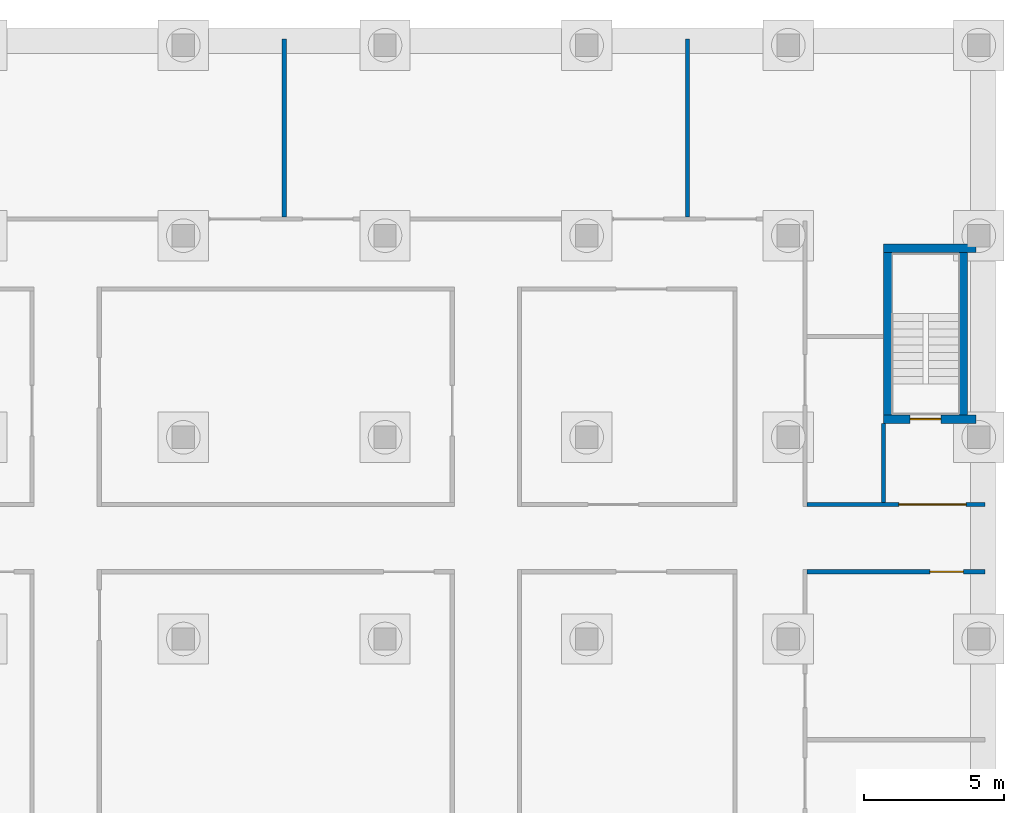
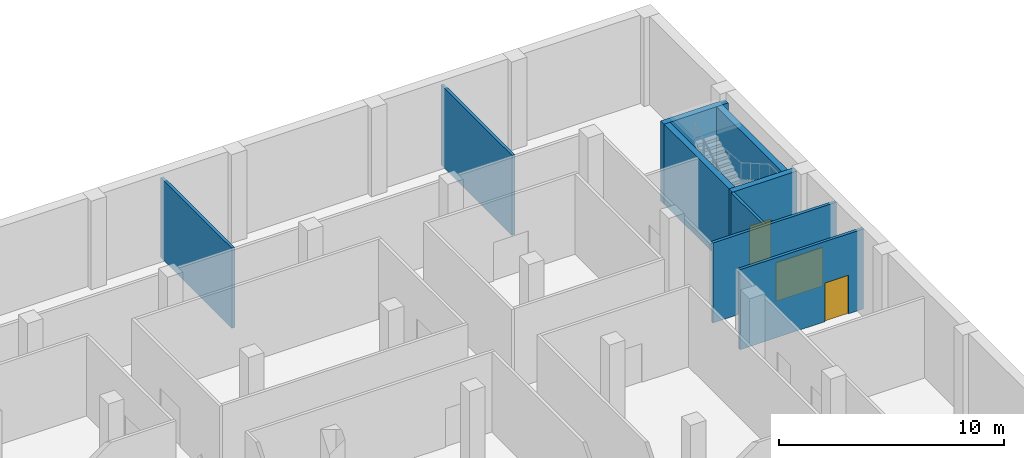
# One storey, part 21 of 54: 9 walls, 3 doors, 3 openings.
"""IFC4 building model written with IfcOpenShell, lengths in metres."""

from ifc_helpers import new_model, si_unit, direction, frame, frame_2d, origin, place, context, subcontext, project, spatial, rectangle, extrude, material, layer, layer_set, type_object, element, fill, save


model = new_model("IFC4")

# Units and contexts
model_context = context("Model", 3, precision=1e-05, world=origin(), true_north=direction((0.0, 1.0)))
body_context = subcontext(model_context, "Body", "Model", "MODEL_VIEW")
ifc_project = project(units=[si_unit("LENGTHUNIT", "METRE"), si_unit("AREAUNIT", "SQUARE_METRE"), si_unit("VOLUMEUNIT", "CUBIC_METRE"), si_unit("PLANEANGLEUNIT", "RADIAN"), si_unit("MASSUNIT", "GRAM", prefix="KILO")], contexts=[model_context])

# Site, building, storey
site_placement = place(None, origin())
site = spatial("IfcSite", under=ifc_project, at=site_placement, CompositionType="ELEMENT")
building_placement = place(site_placement, origin())
building = spatial("IfcBuilding", under=site, at=building_placement, Name="Fustian Cross Tower", CompositionType="ELEMENT")
storey_placement = place(building_placement, frame((0.0, 0.0, -4.800048828125)))
storey = spatial("IfcBuildingStorey", under=building, at=storey_placement, Name="B1", CompositionType="ELEMENT", Elevation=-4.800048828125)

# Walls
ifc_material_1 = material(Name="Plasterboard on steel stud", Category="steel")
ifc_layer_1 = layer(ifc_material_1, 0.14990234375)
ifc_layer_set_1 = layer_set([ifc_layer_1], Name="Plasterboard on steel stud")
wall_type_1 = type_object("IfcWallType", Name="COMPARTMENT WALL 150 EI 60", PredefinedType="PARTITIONING", material=ifc_layer_set_1)
for number, where, z_axis, x_axis, name in (
    (1, (25.199951171875, 43.875, 0.0), (0.0, 0.0, 1.0), (0.0, 1.0, 0.0), "Partition 149"),
    (2, (39.60009765625, 43.875, 0.0), (0.0, 0.0, 1.0), (0.0, 1.0, 0.0), "Partition 174"),
):
    element("IfcWall", number, at=place(storey_placement, frame(where, z_axis=z_axis, x_axis=x_axis)), inside=storey, type_object=wall_type_1, Name=name, PredefinedType="PARTITIONING", context=body_context, shape_type="SweptSolid", body=[
        extrude(rectangle(XDim=6.344970703125, YDim=0.14990234375, at=frame_2d((3.17236328125, 0.0))), origin(), (0.0, 0.0, 1.0), 4.35009765625),
    ])

# Wall, opening, door
wall_1_placement = place(storey_placement, frame((43.875, 31.199951171875, 0.0), z_axis=(0.0, 0.0, 1.0), x_axis=(1.0, 0.0, 0.0)))
wall_1 = element("IfcWall", 3, at=wall_1_placement, inside=storey, type_object=wall_type_1, Name="Partition 193", PredefinedType="PARTITIONING", context=body_context, shape_type="SweptSolid", body=[
    extrude(rectangle(XDim=6.344970703125, YDim=0.14990234375, at=frame_2d((3.17236328125, 0.0))), origin(), (0.0, 0.0, 1.0), 4.35009765625),
])
opening_1_placement = place(wall_1_placement, frame((4.375, 0.0, 0.0)))
opening_1 = element("IfcOpeningElement", 4, at=opening_1_placement, cuts=wall_1, Name="Opening D01146", PredefinedType="OPENING", context=body_context, shape_type="SweptSolid", body=[
    extrude(rectangle(XDim=1.199951171875, YDim=2.10009765625, at=frame_2d((0.60009765625, 1.050048828125))), frame((0.0, 0.0849609375, 0.0), z_axis=(0.0, -1.0, 0.0), x_axis=(1.0, 0.0, 0.0)), (0.0, 0.0, 1.0), 0.169921875),
])
ifc_material_2 = material(Name="Timber fire door set", Category="wood")
door_type_1 = type_object("IfcDoorType", Name="FIRE SWING DOOR 1200 FD30S", OperationType="SINGLE_SWING_LEFT", PredefinedType="DOOR", material=ifc_material_2)
door_1_placement = place(opening_1_placement, frame((1.199951171875, 0.0, 0.0), z_axis=(0.0, 0.0, 1.0), x_axis=(-1.0, 0.0, 0.0)))
door_1 = element("IfcDoor", 5, at=door_1_placement, inside=storey, type_object=door_type_1, Name="Door D01146", OperationType="SINGLE_SWING_LEFT", OverallHeight=2.10009765625, OverallWidth=1.199951171875, PredefinedType="DOOR", context=body_context, shape_type="SweptSolid", body=[
    extrude(rectangle(XDim=1.199951171875, YDim=2.10009765625, at=frame_2d((0.60009765625, 1.050048828125))), frame((0.0, 0.02490234375, 0.0), z_axis=(0.0, -1.0, 0.0), x_axis=(1.0, 0.0, 0.0)), (0.0, 0.0, 1.0), 0.050048828125),
])
fill(opening_1, door_1)

wall_2_placement = place(storey_placement, frame((43.875, 33.60009765625, 0.0), z_axis=(0.0, 0.0, 1.0), x_axis=(1.0, 0.0, 0.0)))
wall_2 = element("IfcWall", 6, at=wall_2_placement, inside=storey, type_object=wall_type_1, Name="Partition 195", PredefinedType="PARTITIONING", context=body_context, shape_type="SweptSolid", body=[
    extrude(rectangle(XDim=6.344970703125, YDim=0.14990234375, at=frame_2d((3.17236328125, 0.0))), origin(), (0.0, 0.0, 1.0), 4.35009765625),
])
opening_2_placement = place(wall_2_placement, frame((3.27490234375, 0.0, 0.0)))
opening_2 = element("IfcOpeningElement", 7, at=opening_2_placement, cuts=wall_2, Name="Opening D01043", PredefinedType="OPENING", context=body_context, shape_type="SweptSolid", body=[
    extrude(rectangle(XDim=2.39990234375, YDim=2.10009765625, at=frame_2d((1.199951171875, 1.050048828125))), frame((0.0, 0.0849609375, 0.0), z_axis=(0.0, -1.0, 0.0), x_axis=(1.0, 0.0, 0.0)), (0.0, 0.0, 1.0), 0.169921875),
])
ifc_material_3 = material(Name="Timber fire door set", Category="wood")
door_type_2 = type_object("IfcDoorType", Name="FIRE DOUBLE DOOR 2400 FD30S", OperationType="DOUBLE_DOOR_DOUBLE_SWING", PredefinedType="DOOR", material=ifc_material_3)
door_2_placement = place(opening_2_placement, origin())
door_2 = element("IfcDoor", 8, at=door_2_placement, inside=storey, type_object=door_type_2, Name="Door D01043", OperationType="DOUBLE_DOOR_DOUBLE_SWING", OverallHeight=2.10009765625, OverallWidth=2.39990234375, PredefinedType="DOOR", context=body_context, shape_type="SweptSolid", body=[
    extrude(rectangle(XDim=2.39990234375, YDim=2.10009765625, at=frame_2d((1.199951171875, 1.050048828125))), frame((0.0, 0.02490234375, 0.0), z_axis=(0.0, -1.0, 0.0), x_axis=(1.0, 0.0, 0.0)), (0.0, 0.0, 1.0), 0.050048828125),
])
fill(opening_2, door_2)

# Wall
wall_3_placement = place(storey_placement, frame((46.60009765625, 33.675048828125, 0.0), z_axis=(0.0, 0.0, 1.0), x_axis=(0.0, 1.0, 0.0)))
element("IfcWall", 9, at=wall_3_placement, inside=storey, type_object=wall_type_1, Name="Partition 198", PredefinedType="PARTITIONING", context=body_context, shape_type="SweptSolid", body=[
    extrude(rectangle(XDim=2.824951171875, YDim=0.14990234375, at=frame_2d((1.41259765625, 0.0))), origin(), (0.0, 0.0, 1.0), 4.35009765625),
])

# Wall, opening, door
ifc_material_4 = material(Name="Concrete C50/60", Category="concrete")
ifc_layer_2 = layer(ifc_material_4, 0.300048828125)
ifc_layer_set_2 = layer_set([ifc_layer_2], Name="Concrete C50/60")
wall_type_2 = type_object("IfcWallType", Name="STAIR ENCLOSURE WALL 300 C50/60", PredefinedType="SHEAR", material=ifc_layer_set_2)
wall_4_placement = place(storey_placement, frame((46.60009765625, 36.64990234375, 0.0), z_axis=(0.0, 0.0, 1.0), x_axis=(1.0, 0.0, 0.0)))
wall_4 = element("IfcWall", 10, at=wall_4_placement, inside=storey, type_object=wall_type_2, Name="Stair enclosure wall", PredefinedType="SHEAR", context=body_context, shape_type="SweptSolid", body=[
    extrude(rectangle(XDim=3.2998046875, YDim=0.300048828125, at=frame_2d((1.64990234375, 0.0))), origin(), (0.0, 0.0, 1.0), 4.35009765625),
])
opening_3_placement = place(wall_4_placement, frame((0.949951171875, 0.0, 0.0)))
opening_3 = element("IfcOpeningElement", 11, at=opening_3_placement, cuts=wall_4, Name="Opening CD-01-27", PredefinedType="OPENING", context=body_context, shape_type="SweptSolid", body=[
    extrude(rectangle(XDim=1.10009765625, YDim=2.10009765625, at=frame_2d((0.550048828125, 1.050048828125))), frame((0.0, 0.159912109375, 0.0), z_axis=(0.0, -1.0, 0.0), x_axis=(1.0, 0.0, 0.0)), (0.0, 0.0, 1.0), 0.320068359375),
])
ifc_material_5 = material(Name="Steel", Category="steel")
door_type_3 = type_object("IfcDoorType", Name="FIRE DOOR FD60S 1100X2100", OperationType="SINGLE_SWING_LEFT", PredefinedType="DOOR", material=ifc_material_5)
door_3_placement = place(opening_3_placement, origin())
door_3 = element("IfcDoor", 12, at=door_3_placement, inside=storey, type_object=door_type_3, Name="Core door CD-01-27", OperationType="SINGLE_SWING_RIGHT", OverallHeight=2.10009765625, OverallWidth=1.10009765625, PredefinedType="DOOR", context=body_context, shape_type="SweptSolid", body=[
    extrude(rectangle(XDim=1.10009765625, YDim=2.10009765625, at=frame_2d((0.550048828125, 1.050048828125))), frame((0.0, 0.02490234375, 0.0), z_axis=(0.0, -1.0, 0.0), x_axis=(1.0, 0.0, 0.0)), (0.0, 0.0, 1.0), 0.050048828125),
])
fill(opening_3, door_3)

# Walls
wall_5_placement = place(storey_placement, frame((46.60009765625, 42.75, 0.0), z_axis=(0.0, 0.0, 1.0), x_axis=(1.0, 0.0, 0.0)))
element("IfcWall", 13, at=wall_5_placement, inside=storey, type_object=wall_type_2, Name="Stair enclosure wall", PredefinedType="SHEAR", context=body_context, shape_type="SweptSolid", body=[
    extrude(rectangle(XDim=3.2998046875, YDim=0.300048828125, at=frame_2d((1.64990234375, 0.0))), origin(), (0.0, 0.0, 1.0), 4.35009765625),
])
for number, where, z_axis, x_axis, name in (
    (14, (46.75, 36.800048828125, 0.0), (0.0, 0.0, 1.0), (0.0, 1.0, 0.0), "Stair enclosure wall"),
    (15, (49.449951171875, 36.800048828125, 0.0), (0.0, 0.0, 1.0), (0.0, 1.0, 0.0), "Stair enclosure wall"),
):
    element("IfcWall", number, at=place(storey_placement, frame(where, z_axis=z_axis, x_axis=x_axis)), inside=storey, type_object=wall_type_2, Name=name, PredefinedType="SHEAR", context=body_context, shape_type="SweptSolid", body=[
        extrude(rectangle(XDim=5.800048828125, YDim=0.300048828125, at=frame_2d((2.89990234375, 0.0))), origin(), (0.0, 0.0, 1.0), 4.35009765625),
    ])

save(model, "model.ifc")
